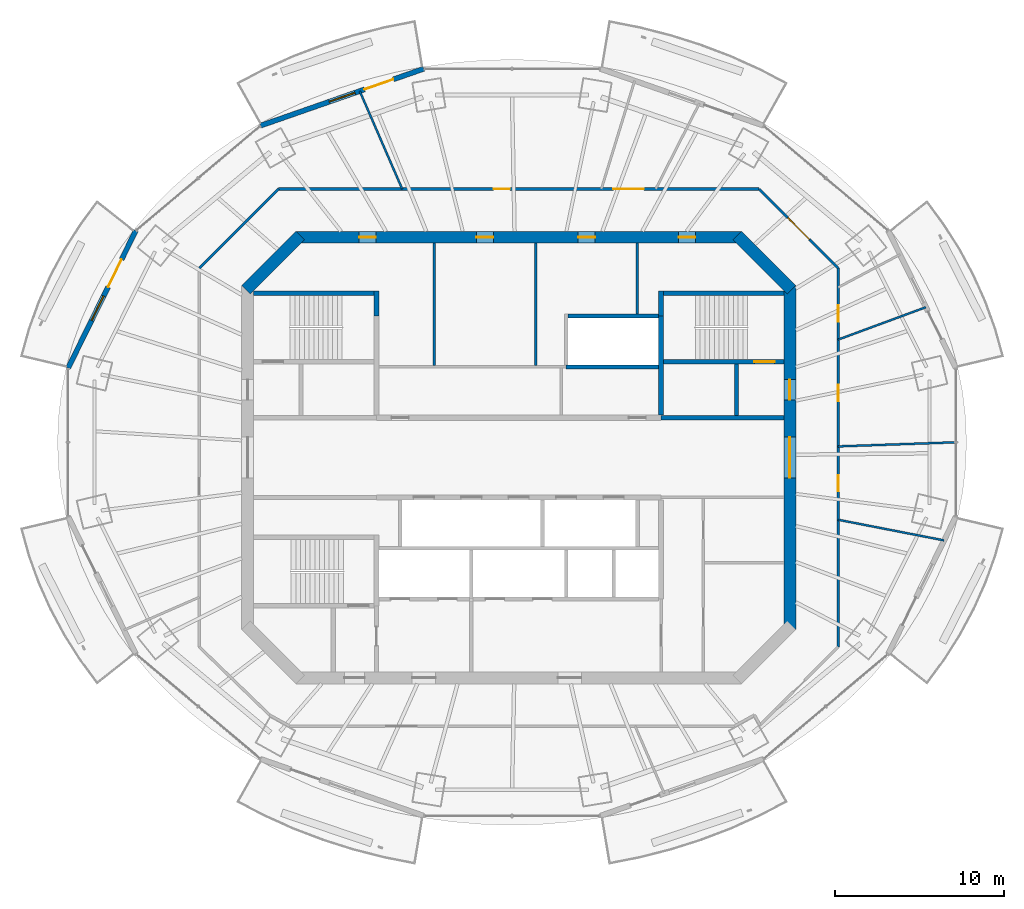
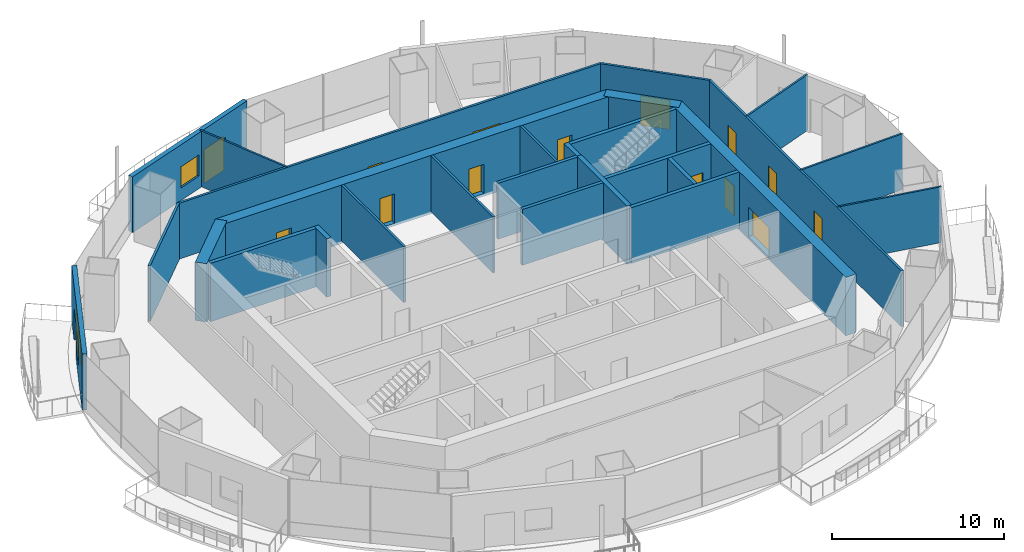
# One storey, part 10 of 16: 27 walls, 15 doors, 2 windows, 17 openings.
"""IFC4 building model written with IfcOpenShell, lengths in metres."""

from ifc_helpers import new_model, si_unit, direction, frame, frame_2d, origin, place, context, subcontext, project, spatial, rectangle, extrude, material, layer, layer_set, type_object, element, fill, save


model = new_model("IFC4")

# Units and contexts
model_context = context("Model", 3, precision=1e-05, world=origin(), true_north=direction((0.0, 1.0)))
body_context = subcontext(model_context, "Body", "Model", "MODEL_VIEW")
ifc_project = project(units=[si_unit("LENGTHUNIT", "METRE"), si_unit("AREAUNIT", "SQUARE_METRE"), si_unit("VOLUMEUNIT", "CUBIC_METRE"), si_unit("PLANEANGLEUNIT", "RADIAN"), si_unit("MASSUNIT", "GRAM", prefix="KILO")], contexts=[model_context])

# Site, building, storey
site_placement = place(None, origin())
site = spatial("IfcSite", under=ifc_project, at=site_placement, CompositionType="ELEMENT")
building_placement = place(site_placement, origin())
building = spatial("IfcBuilding", under=site, at=building_placement, Name="Marenthal Gate Tower", CompositionType="ELEMENT")
storey_placement = place(building_placement, frame((0.0, 0.0, 350.89990234375)))
storey = spatial("IfcBuildingStorey", under=building, at=storey_placement, Name="L79", CompositionType="ELEMENT", Elevation=350.89990234375)

# Wall, openings, doors
ifc_material_1 = material(Name="Concrete 60 MPa", Category="concrete")
ifc_layer_1 = layer(ifc_material_1, 0.699951171875)
ifc_layer_set_1 = layer_set([ifc_layer_1], Name="Core shear wall 700")
wall_type_1 = type_object("IfcWallType", Name="Core shear wall 700", PredefinedType="SHEAR", material=ifc_layer_set_1)
wall_1_placement = place(storey_placement, frame((16.0, -10.14501953125, -0.179931640625), z_axis=(0.0, 0.0, 1.0), x_axis=(0.0, 1.0, 0.0)))
wall_1 = element("IfcWall", 1, at=wall_1_placement, inside=storey, type_object=wall_type_1, Name="Core wall 02", PredefinedType="SHEAR", context=body_context, shape_type="SweptSolid", body=[
    extrude(rectangle(XDim=20.2900390625, YDim=0.699951171875, at=frame_2d((10.14501953125, 0.0))), origin(), (0.0, 0.0, 1.0), 4.150146484375),
])
opening_1_placement = place(wall_1_placement, frame((8.945068359375, 0.0, 0.179931640625)))
opening_1 = element("IfcOpeningElement", 2, at=opening_1_placement, cuts=wall_1, Name="Opening D003.02", PredefinedType="OPENING", context=body_context, shape_type="SweptSolid", body=[
    extrude(rectangle(XDim=2.39990234375, YDim=2.10009765625, at=frame_2d((1.199951171875, 1.050048828125))), frame((0.0, 0.35986328125, 0.0), z_axis=(0.0, -1.0, 0.0), x_axis=(1.0, 0.0, 0.0)), (0.0, 0.0, 1.0), 0.719970703125),
])
opening_2_placement = place(wall_1_placement, frame((13.544921875, 0.0, 0.179931640625)))
opening_2 = element("IfcOpeningElement", 3, at=opening_2_placement, cuts=wall_1, Name="Opening D001.05", PredefinedType="OPENING", context=body_context, shape_type="SweptSolid", body=[
    extrude(rectangle(XDim=1.199951171875, YDim=2.10009765625, at=frame_2d((0.60009765625, 1.050048828125))), frame((0.0, 0.35986328125, 0.0), z_axis=(0.0, -1.0, 0.0), x_axis=(1.0, 0.0, 0.0)), (0.0, 0.0, 1.0), 0.719970703125),
])
ifc_material_2 = material(Name="Steel fire door", Category="steel")
door_type_1 = type_object("IfcDoorType", Name="Double fire door FD 45 2400 x 2100", OperationType="DOUBLE_DOOR_SINGLE_SWING", PredefinedType="DOOR", material=ifc_material_2)
door_1_placement = place(opening_1_placement, origin())
door_1 = element("IfcDoor", 4, at=door_1_placement, inside=storey, type_object=door_type_1, Name="Door D003.02", OperationType="DOUBLE_DOOR_SINGLE_SWING", OverallHeight=2.10009765625, OverallWidth=2.39990234375, PredefinedType="DOOR", context=body_context, shape_type="SweptSolid", body=[
    extrude(rectangle(XDim=2.39990234375, YDim=2.10009765625, at=frame_2d((1.199951171875, 1.050048828125))), frame((0.0, 0.02490234375, 0.0), z_axis=(0.0, -1.0, 0.0), x_axis=(1.0, 0.0, 0.0)), (0.0, 0.0, 1.0), 0.050048828125),
])
fill(opening_1, door_1)
ifc_material_3 = material(Name="Steel fire door", Category="steel")
door_type_2 = type_object("IfcDoorType", Name="Fire door FD 90 1200 x 2100", OperationType="NOTDEFINED", PredefinedType="DOOR", material=ifc_material_3)
door_2_placement = place(opening_2_placement, origin())
door_2 = element("IfcDoor", 5, at=door_2_placement, inside=storey, type_object=door_type_2, Name="Door D001.05", OperationType="SINGLE_SWING_RIGHT", OverallHeight=2.10009765625, OverallWidth=1.199951171875, PredefinedType="DOOR", context=body_context, shape_type="SweptSolid", body=[
    extrude(rectangle(XDim=1.199951171875, YDim=2.10009765625, at=frame_2d((0.60009765625, 1.050048828125))), frame((0.0, 0.02490234375, 0.0), z_axis=(0.0, -1.0, 0.0), x_axis=(1.0, 0.0, 0.0)), (0.0, 0.0, 1.0), 0.050048828125),
])
fill(opening_2, door_2)

# Wall
wall_2_placement = place(storey_placement, frame((16.1025390625, 9.8974609375, -0.179931640625), z_axis=(0.0, 0.0, 1.0), x_axis=(-0.707106781187, 0.707106781187, 0.0)))
element("IfcWall", 6, at=wall_2_placement, inside=storey, type_object=wall_type_1, Name="Core wall 03", PredefinedType="SHEAR", context=body_context, shape_type="SweptSolid", body=[
    extrude(rectangle(XDim=4.53271484375, YDim=0.699951171875, at=frame_2d((2.266357421875, 0.0))), origin(), (0.0, 0.0, 1.0), 4.150146484375),
])

# Wall, openings, doors
wall_3_placement = place(storey_placement, frame((13.14501953125, 13.0, -0.179931640625), z_axis=(0.0, 0.0, 1.0), x_axis=(-1.0, 0.0, 0.0)))
wall_3 = element("IfcWall", 7, at=wall_3_placement, inside=storey, type_object=wall_type_1, Name="Core wall 04", PredefinedType="SHEAR", context=body_context, shape_type="SweptSolid", body=[
    extrude(rectangle(XDim=26.2900390625, YDim=0.699951171875, at=frame_2d((13.14501953125, 0.0))), origin(), (0.0, 0.0, 1.0), 4.150146484375),
])
opening_3_placement = place(wall_3_placement, frame((21.57275390625, 0.0, 0.179931640625)))
opening_3 = element("IfcOpeningElement", 8, at=opening_3_placement, cuts=wall_3, Name="Opening D005.03", PredefinedType="OPENING", context=body_context, shape_type="SweptSolid", body=[
    extrude(rectangle(XDim=1.0, YDim=2.10009765625, at=frame_2d((0.5, 1.050048828125))), frame((0.0, 0.35986328125, 0.0), z_axis=(0.0, -1.0, 0.0), x_axis=(1.0, 0.0, 0.0)), (0.0, 0.0, 1.0), 0.719970703125),
])
opening_4_placement = place(wall_3_placement, frame((14.64501953125, 0.0, 0.179931640625)))
opening_4 = element("IfcOpeningElement", 9, at=opening_4_placement, cuts=wall_3, Name="Opening D005.04", PredefinedType="OPENING", context=body_context, shape_type="SweptSolid", body=[
    extrude(rectangle(XDim=1.0, YDim=2.10009765625, at=frame_2d((0.5, 1.050048828125))), frame((0.0, 0.35986328125, 0.0), z_axis=(0.0, -1.0, 0.0), x_axis=(1.0, 0.0, 0.0)), (0.0, 0.0, 1.0), 0.719970703125),
])
opening_5_placement = place(wall_3_placement, frame((8.64501953125, 0.0, 0.179931640625)))
opening_5 = element("IfcOpeningElement", 10, at=opening_5_placement, cuts=wall_3, Name="Opening D005.05", PredefinedType="OPENING", context=body_context, shape_type="SweptSolid", body=[
    extrude(rectangle(XDim=1.0, YDim=2.10009765625, at=frame_2d((0.5, 1.050048828125))), frame((0.0, 0.35986328125, 0.0), z_axis=(0.0, -1.0, 0.0), x_axis=(1.0, 0.0, 0.0)), (0.0, 0.0, 1.0), 0.719970703125),
])
opening_6_placement = place(wall_3_placement, frame((2.71728515625, 0.0, 0.179931640625)))
opening_6 = element("IfcOpeningElement", 11, at=opening_6_placement, cuts=wall_3, Name="Opening D005.06", PredefinedType="OPENING", context=body_context, shape_type="SweptSolid", body=[
    extrude(rectangle(XDim=1.0, YDim=2.10009765625, at=frame_2d((0.5, 1.050048828125))), frame((0.0, 0.35986328125, 0.0), z_axis=(0.0, -1.0, 0.0), x_axis=(1.0, 0.0, 0.0)), (0.0, 0.0, 1.0), 0.719970703125),
])
ifc_material_4 = material(Name="Steel fire door", Category="steel")
door_type_3 = type_object("IfcDoorType", Name="Fire door FD 45 1000 x 2100", OperationType="NOTDEFINED", PredefinedType="DOOR", material=ifc_material_4)
door_3_placement = place(opening_3_placement, origin())
door_3 = element("IfcDoor", 12, at=door_3_placement, inside=storey, type_object=door_type_3, Name="Door D005.03", OperationType="SINGLE_SWING_RIGHT", OverallHeight=2.10009765625, OverallWidth=1.0, PredefinedType="DOOR", context=body_context, shape_type="SweptSolid", body=[
    extrude(rectangle(XDim=1.0, YDim=2.10009765625, at=frame_2d((0.5, 1.050048828125))), frame((0.0, 0.02490234375, 0.0), z_axis=(0.0, -1.0, 0.0), x_axis=(1.0, 0.0, 0.0)), (0.0, 0.0, 1.0), 0.050048828125),
])
fill(opening_3, door_3)
door_4_placement = place(opening_4_placement, origin())
door_4 = element("IfcDoor", 13, at=door_4_placement, inside=storey, type_object=door_type_3, Name="Door D005.04", OperationType="SINGLE_SWING_RIGHT", OverallHeight=2.10009765625, OverallWidth=1.0, PredefinedType="DOOR", context=body_context, shape_type="SweptSolid", body=[
    extrude(rectangle(XDim=1.0, YDim=2.10009765625, at=frame_2d((0.5, 1.050048828125))), frame((0.0, 0.02490234375, 0.0), z_axis=(0.0, -1.0, 0.0), x_axis=(1.0, 0.0, 0.0)), (0.0, 0.0, 1.0), 0.050048828125),
])
fill(opening_4, door_4)
door_5_placement = place(opening_5_placement, origin())
door_5 = element("IfcDoor", 14, at=door_5_placement, inside=storey, type_object=door_type_3, Name="Door D005.05", OperationType="SINGLE_SWING_RIGHT", OverallHeight=2.10009765625, OverallWidth=1.0, PredefinedType="DOOR", context=body_context, shape_type="SweptSolid", body=[
    extrude(rectangle(XDim=1.0, YDim=2.10009765625, at=frame_2d((0.5, 1.050048828125))), frame((0.0, 0.02490234375, 0.0), z_axis=(0.0, -1.0, 0.0), x_axis=(1.0, 0.0, 0.0)), (0.0, 0.0, 1.0), 0.050048828125),
])
fill(opening_5, door_5)
door_6_placement = place(opening_6_placement, origin())
door_6 = element("IfcDoor", 15, at=door_6_placement, inside=storey, type_object=door_type_3, Name="Door D005.06", OperationType="SINGLE_SWING_RIGHT", OverallHeight=2.10009765625, OverallWidth=1.0, PredefinedType="DOOR", context=body_context, shape_type="SweptSolid", body=[
    extrude(rectangle(XDim=1.0, YDim=2.10009765625, at=frame_2d((0.5, 1.050048828125))), frame((0.0, 0.02490234375, 0.0), z_axis=(0.0, -1.0, 0.0), x_axis=(1.0, 0.0, 0.0)), (0.0, 0.0, 1.0), 0.050048828125),
])
fill(opening_6, door_6)

# Walls
wall_4_placement = place(storey_placement, frame((-12.8974609375, 13.1025390625, -0.179931640625), z_axis=(0.0, 0.0, 1.0), x_axis=(-0.707106781187, -0.707106781187, 0.0)))
element("IfcWall", 16, at=wall_4_placement, inside=storey, type_object=wall_type_1, Name="Core wall 05", PredefinedType="SHEAR", context=body_context, shape_type="SweptSolid", body=[
    extrude(rectangle(XDim=4.53271484375, YDim=0.699951171875, at=frame_2d((2.266357421875, 0.0))), origin(), (0.0, 0.0, 1.0), 4.150146484375),
])
ifc_material_5 = material(Name="Concrete 50 MPa", Category="concrete")
ifc_layer_2 = layer(ifc_material_5, 0.300048828125)
ifc_layer_set_2 = layer_set([ifc_layer_2], Name="Hoistway shear wall 300")
wall_type_2 = type_object("IfcWallType", Name="Hoistway shear wall 300", PredefinedType="SHEAR", material=ifc_layer_set_2)
wall_5_placement = place(storey_placement, frame((8.39990234375, 2.5, -0.179931640625), z_axis=(0.0, 0.0, 1.0), x_axis=(0.0, 1.0, 0.0)))
element("IfcWall", 17, at=wall_5_placement, inside=storey, type_object=wall_type_2, Name="Hoistway wall 48", PredefinedType="SHEAR", context=body_context, shape_type="SweptSolid", body=[
    extrude(rectangle(XDim=5.85009765625, YDim=0.300048828125, at=frame_2d((2.925048828125, 0.0))), origin(), (0.0, 0.0, 1.0), 4.150146484375),
])
ifc_material_6 = material(Name="Concrete 40 MPa", Category="concrete")
ifc_layer_3 = layer(ifc_material_6, 0.219970703125)
ifc_layer_set_3 = layer_set([ifc_layer_3], Name="Hoistway wall 220")
wall_type_3 = type_object("IfcWallType", Name="Hoistway wall 220", PredefinedType="STANDARD", material=ifc_layer_set_3)
wall_6_placement = place(storey_placement, frame((2.800048828125, 5.35009765625, 0.0), z_axis=(0.0, 0.0, 1.0), x_axis=(1.0, 0.0, 0.0)))
element("IfcWall", 18, at=wall_6_placement, inside=storey, type_object=wall_type_3, Name="Hoistway wall 22", PredefinedType="STANDARD", context=body_context, shape_type="SweptSolid", body=[
    extrude(rectangle(XDim=5.449951171875, YDim=0.219970703125, at=frame_2d((2.72509765625, 0.0))), origin(), (0.0, 0.0, 1.0), 3.97021484375),
])
wall_7_placement = place(storey_placement, frame((2.909912109375, 8.35009765625, 0.0), z_axis=(0.0, 0.0, 1.0), x_axis=(1.0, 0.0, 0.0)))
element("IfcWall", 19, at=wall_7_placement, inside=storey, type_object=wall_type_3, Name="Hoistway wall 25", PredefinedType="STANDARD", context=body_context, shape_type="SweptSolid", body=[
    extrude(rectangle(XDim=5.340087890625, YDim=0.219970703125, at=frame_2d((2.669921875, 0.0))), origin(), (0.0, 0.0, 1.0), 3.97021484375),
])
ifc_material_7 = material(Name="Gypsum board on steel studs", Category="steel")
ifc_layer_4 = layer(ifc_material_7, 0.1201171875)
ifc_layer_set_4 = layer_set([ifc_layer_4], Name="Partition 120")
wall_type_4 = type_object("IfcWallType", Name="Partition 120", PredefinedType="PARTITIONING", material=ifc_layer_set_4)
wall_8_placement = place(storey_placement, frame((-6.879638671875, 15.85009765625, 0.0), z_axis=(0.0, 0.0, 1.0), x_axis=(-0.398181745678, 0.91730654495, 0.0)))
element("IfcWall", 20, at=wall_8_placement, inside=storey, type_object=wall_type_4, Name="Partition wall 58", PredefinedType="PARTITIONING", context=body_context, shape_type="SweptSolid", body=[
    extrude(rectangle(XDim=6.298095703125, YDim=0.1201171875, at=frame_2d((3.14892578125, 0.0))), origin(), (0.0, 0.0, 1.0), 3.97021484375),
])
wall_9_placement = place(storey_placement, frame((18.85009765625, -3.67138671875, 0.0), z_axis=(0.0, 0.0, 1.0), x_axis=(0.981557300208, -0.191168162643, 0.0)))
element("IfcWall", 21, at=wall_9_placement, inside=storey, type_object=wall_type_4, Name="Partition wall 67", PredefinedType="PARTITIONING", context=body_context, shape_type="SweptSolid", body=[
    extrude(rectangle(XDim=6.3701171875, YDim=0.1201171875, at=frame_2d((3.18505859375, 0.0))), origin(), (0.0, 0.0, 1.0), 3.97021484375),
])
wall_10_placement = place(storey_placement, frame((18.85009765625, 0.65771484375, 0.0), z_axis=(0.0, 0.0, 1.0), x_axis=(0.999392274324, 0.034858026656, 0.0)))
element("IfcWall", 22, at=wall_10_placement, inside=storey, type_object=wall_type_4, Name="Partition wall 68", PredefinedType="PARTITIONING", context=body_context, shape_type="SweptSolid", body=[
    extrude(rectangle(XDim=6.94775390625, YDim=0.1201171875, at=frame_2d((3.473876953125, 0.0))), origin(), (0.0, 0.0, 1.0), 3.97021484375),
])
wall_11_placement = place(storey_placement, frame((18.85009765625, 6.961669921875, 0.0), z_axis=(0.0, 0.0, 1.0), x_axis=(0.93806639646, 0.346455532259, 0.0)))
element("IfcWall", 23, at=wall_11_placement, inside=storey, type_object=wall_type_4, Name="Partition wall 69", PredefinedType="PARTITIONING", context=body_context, shape_type="SweptSolid", body=[
    extrude(rectangle(XDim=5.51904296875, YDim=0.1201171875, at=frame_2d((2.759521484375, 0.0))), origin(), (0.0, 0.0, 1.0), 3.97021484375),
])
ifc_material_8 = material(Name="Gypsum board on steel studs", Category="steel")
ifc_layer_5 = layer(ifc_material_8, 0.14990234375)
ifc_layer_set_5 = layer_set([ifc_layer_5], Name="Partition 150")
wall_type_5 = type_object("IfcWallType", Name="Partition 150", PredefinedType="PARTITIONING", material=ifc_layer_set_5)
for number, where, z_axis, x_axis, name in (
    (24, (-5.0, 5.425048828125, 0.0), (0.0, 0.0, 1.0), (0.0, 1.0, 0.0), "Partition wall 35"),
    (25, (1.0, 5.425048828125, 0.0), (0.0, 0.0, 1.0), (0.0, 1.0, 0.0), "Partition wall 38"),
):
    element("IfcWall", number, at=place(storey_placement, frame(where, z_axis=z_axis, x_axis=x_axis)), inside=storey, type_object=wall_type_5, Name=name, PredefinedType="PARTITIONING", context=body_context, shape_type="SweptSolid", body=[
        extrude(rectangle(XDim=7.224853515625, YDim=0.14990234375, at=frame_2d((3.6123046875, 0.0))), origin(), (0.0, 0.0, 1.0), 3.97021484375),
    ])
wall_12_placement = place(storey_placement, frame((7.0, 8.4599609375, 0.0), z_axis=(0.0, 0.0, 1.0), x_axis=(0.0, 1.0, 0.0)))
element("IfcWall", 26, at=wall_12_placement, inside=storey, type_object=wall_type_5, Name="Partition wall 45", PredefinedType="PARTITIONING", context=body_context, shape_type="SweptSolid", body=[
    extrude(rectangle(XDim=4.18994140625, YDim=0.14990234375, at=frame_2d((2.094970703125, 0.0))), origin(), (0.0, 0.0, 1.0), 3.97021484375),
])
wall_13_placement = place(storey_placement, frame((-18.85009765625, 11.180419921875, 0.0), z_axis=(0.0, 0.0, 1.0), x_axis=(0.707106781187, 0.707106781187, 0.0)))
element("IfcWall", 27, at=wall_13_placement, inside=storey, type_object=wall_type_5, Name="Partition wall 54", PredefinedType="PARTITIONING", context=body_context, shape_type="SweptSolid", body=[
    extrude(rectangle(XDim=6.60400390625, YDim=0.14990234375, at=frame_2d((3.302001953125, 0.0))), origin(), (0.0, 0.0, 1.0), 3.97021484375),
])

# Wall, openings, doors
wall_14_placement = place(storey_placement, frame((-14.180419921875, 15.85009765625, 0.0), z_axis=(0.0, 0.0, 1.0), x_axis=(1.0, 0.0, 0.0)))
wall_14 = element("IfcWall", 28, at=wall_14_placement, inside=storey, type_object=wall_type_5, Name="Partition wall 56", PredefinedType="PARTITIONING", context=body_context, shape_type="SweptSolid", body=[
    extrude(rectangle(XDim=28.36083984375, YDim=0.14990234375, at=frame_2d((14.180419921875, 0.0))), origin(), (0.0, 0.0, 1.0), 3.97021484375),
])
opening_7_placement = place(wall_14_placement, frame((19.759033203125, 0.0, 0.0)))
opening_7 = element("IfcOpeningElement", 29, at=opening_7_placement, cuts=wall_14, Name="Opening D014.02", PredefinedType="OPENING", context=body_context, shape_type="SweptSolid", body=[
    extrude(rectangle(XDim=1.800048828125, YDim=2.10009765625, at=frame_2d((0.89990234375, 1.050048828125))), frame((0.0, 0.0849609375, 0.0), z_axis=(0.0, -1.0, 0.0), x_axis=(1.0, 0.0, 0.0)), (0.0, 0.0, 1.0), 0.169921875),
])
opening_8_placement = place(wall_14_placement, frame((12.702880859375, 0.0, 0.0)))
opening_8 = element("IfcOpeningElement", 30, at=opening_8_placement, cuts=wall_14, Name="Opening D016.03", PredefinedType="OPENING", context=body_context, shape_type="SweptSolid", body=[
    extrude(rectangle(XDim=0.949951171875, YDim=2.10009765625, at=frame_2d((0.47509765625, 1.050048828125))), frame((0.0, 0.0849609375, 0.0), z_axis=(0.0, -1.0, 0.0), x_axis=(1.0, 0.0, 0.0)), (0.0, 0.0, 1.0), 0.169921875),
])
ifc_material_9 = material(Name="Timber door", Category="wood")
door_type_4 = type_object("IfcDoorType", Name="Door 950 x 2100", OperationType="NOTDEFINED", PredefinedType="DOOR", material=ifc_material_9)
door_7_placement = place(opening_8_placement, origin())
door_7 = element("IfcDoor", 31, at=door_7_placement, inside=storey, type_object=door_type_4, Name="Door D016.03", OperationType="SINGLE_SWING_RIGHT", OverallHeight=2.10009765625, OverallWidth=0.949951171875, PredefinedType="DOOR", context=body_context, shape_type="SweptSolid", body=[
    extrude(rectangle(XDim=0.949951171875, YDim=2.10009765625, at=frame_2d((0.47509765625, 1.050048828125))), frame((0.0, 0.02490234375, 0.0), z_axis=(0.0, -1.0, 0.0), x_axis=(1.0, 0.0, 0.0)), (0.0, 0.0, 1.0), 0.050048828125),
])
fill(opening_8, door_7)
ifc_material_10 = material(Name="Timber door", Category="wood")
door_type_5 = type_object("IfcDoorType", Name="Double door 1800 x 2100", OperationType="DOUBLE_DOOR_SINGLE_SWING", PredefinedType="DOOR", material=ifc_material_10)
door_8_placement = place(opening_7_placement, origin())
door_8 = element("IfcDoor", 32, at=door_8_placement, inside=storey, type_object=door_type_5, Name="Door D014.02", OperationType="DOUBLE_DOOR_SINGLE_SWING", OverallHeight=2.10009765625, OverallWidth=1.800048828125, PredefinedType="DOOR", context=body_context, shape_type="SweptSolid", body=[
    extrude(rectangle(XDim=1.800048828125, YDim=2.10009765625, at=frame_2d((0.89990234375, 1.050048828125))), frame((0.0, 0.02490234375, 0.0), z_axis=(0.0, -1.0, 0.0), x_axis=(1.0, 0.0, 0.0)), (0.0, 0.0, 1.0), 0.050048828125),
])
fill(opening_7, door_8)

# Wall, opening, door
wall_15_placement = place(storey_placement, frame((14.180419921875, 15.85009765625, 0.0), z_axis=(0.0, 0.0, 1.0), x_axis=(0.707106781187, -0.707106781187, 0.0)))
wall_15 = element("IfcWall", 33, at=wall_15_placement, inside=storey, type_object=wall_type_5, Name="Partition wall 64", PredefinedType="PARTITIONING", context=body_context, shape_type="SweptSolid", body=[
    extrude(rectangle(XDim=6.60400390625, YDim=0.14990234375, at=frame_2d((3.302001953125, 0.0))), origin(), (0.0, 0.0, 1.0), 3.97021484375),
])
opening_9_placement = place(wall_15_placement, frame((2.402099609375, 0.0, 0.0)))
opening_9 = element("IfcOpeningElement", 34, at=opening_9_placement, cuts=wall_15, Name="Opening D014.01", PredefinedType="OPENING", context=body_context, shape_type="SweptSolid", body=[
    extrude(rectangle(XDim=1.800048828125, YDim=2.10009765625, at=frame_2d((0.89990234375, 1.050048828125))), frame((0.0, 0.0849609375, 0.0), z_axis=(0.0, -1.0, 0.0), x_axis=(1.0, 0.0, 0.0)), (0.0, 0.0, 1.0), 0.169921875),
])
door_9_placement = place(opening_9_placement, origin())
door_9 = element("IfcDoor", 35, at=door_9_placement, inside=storey, type_object=door_type_5, Name="Door D014.01", OperationType="DOUBLE_DOOR_SINGLE_SWING", OverallHeight=2.10009765625, OverallWidth=1.800048828125, PredefinedType="DOOR", context=body_context, shape_type="SweptSolid", body=[
    extrude(rectangle(XDim=1.800048828125, YDim=2.10009765625, at=frame_2d((0.89990234375, 1.050048828125))), frame((0.0, 0.02490234375, 0.0), z_axis=(0.0, -1.0, 0.0), x_axis=(1.0, 0.0, 0.0)), (0.0, 0.0, 1.0), 0.050048828125),
])
fill(opening_9, door_9)

# Wall, openings, doors
wall_16_placement = place(storey_placement, frame((18.85009765625, 11.180419921875, 0.0), z_axis=(0.0, 0.0, 1.0), x_axis=(0.0, -1.0, 0.0)))
wall_16 = element("IfcWall", 36, at=wall_16_placement, inside=storey, type_object=wall_type_5, Name="Partition wall 71", PredefinedType="PARTITIONING", context=body_context, shape_type="SweptSolid", body=[
    extrude(rectangle(XDim=22.36083984375, YDim=0.14990234375, at=frame_2d((11.180419921875, 0.0))), origin(), (0.0, 0.0, 1.0), 3.97021484375),
])
opening_10_placement = place(wall_16_placement, frame((6.89599609375, 0.0, 0.0)))
opening_10 = element("IfcOpeningElement", 37, at=opening_10_placement, cuts=wall_16, Name="Opening D016.01", PredefinedType="OPENING", context=body_context, shape_type="SweptSolid", body=[
    extrude(rectangle(XDim=0.949951171875, YDim=2.10009765625, at=frame_2d((0.47509765625, 1.050048828125))), frame((0.0, 0.0849609375, 0.0), z_axis=(0.0, -1.0, 0.0), x_axis=(1.0, 0.0, 0.0)), (0.0, 0.0, 1.0), 0.169921875),
])
opening_11_placement = place(wall_16_placement, frame((2.205078125, 0.0, 0.0)))
opening_11 = element("IfcOpeningElement", 38, at=opening_11_placement, cuts=wall_16, Name="Opening D016.02", PredefinedType="OPENING", context=body_context, shape_type="SweptSolid", body=[
    extrude(rectangle(XDim=0.949951171875, YDim=2.10009765625, at=frame_2d((0.47509765625, 1.050048828125))), frame((0.0, 0.0849609375, 0.0), z_axis=(0.0, -1.0, 0.0), x_axis=(1.0, 0.0, 0.0)), (0.0, 0.0, 1.0), 0.169921875),
])
opening_12_placement = place(wall_16_placement, frame((12.2119140625, 0.0, 0.0)))
opening_12 = element("IfcOpeningElement", 39, at=opening_12_placement, cuts=wall_16, Name="Opening D016.06", PredefinedType="OPENING", context=body_context, shape_type="SweptSolid", body=[
    extrude(rectangle(XDim=0.949951171875, YDim=2.10009765625, at=frame_2d((0.47509765625, 1.050048828125))), frame((0.0, 0.0849609375, 0.0), z_axis=(0.0, -1.0, 0.0), x_axis=(1.0, 0.0, 0.0)), (0.0, 0.0, 1.0), 0.169921875),
])
door_10_placement = place(opening_10_placement, origin())
door_10 = element("IfcDoor", 40, at=door_10_placement, inside=storey, type_object=door_type_4, Name="Door D016.01", OperationType="SINGLE_SWING_RIGHT", OverallHeight=2.10009765625, OverallWidth=0.949951171875, PredefinedType="DOOR", context=body_context, shape_type="SweptSolid", body=[
    extrude(rectangle(XDim=0.949951171875, YDim=2.10009765625, at=frame_2d((0.47509765625, 1.050048828125))), frame((0.0, 0.02490234375, 0.0), z_axis=(0.0, -1.0, 0.0), x_axis=(1.0, 0.0, 0.0)), (0.0, 0.0, 1.0), 0.050048828125),
])
fill(opening_10, door_10)
door_11_placement = place(opening_11_placement, origin())
door_11 = element("IfcDoor", 41, at=door_11_placement, inside=storey, type_object=door_type_4, Name="Door D016.02", OperationType="SINGLE_SWING_RIGHT", OverallHeight=2.10009765625, OverallWidth=0.949951171875, PredefinedType="DOOR", context=body_context, shape_type="SweptSolid", body=[
    extrude(rectangle(XDim=0.949951171875, YDim=2.10009765625, at=frame_2d((0.47509765625, 1.050048828125))), frame((0.0, 0.02490234375, 0.0), z_axis=(0.0, -1.0, 0.0), x_axis=(1.0, 0.0, 0.0)), (0.0, 0.0, 1.0), 0.050048828125),
])
fill(opening_11, door_11)
door_12_placement = place(opening_12_placement, origin())
door_12 = element("IfcDoor", 42, at=door_12_placement, inside=storey, type_object=door_type_4, Name="Door D016.06", OperationType="SINGLE_SWING_RIGHT", OverallHeight=2.10009765625, OverallWidth=0.949951171875, PredefinedType="DOOR", context=body_context, shape_type="SweptSolid", body=[
    extrude(rectangle(XDim=0.949951171875, YDim=2.10009765625, at=frame_2d((0.47509765625, 1.050048828125))), frame((0.0, 0.02490234375, 0.0), z_axis=(0.0, -1.0, 0.0), x_axis=(1.0, 0.0, 0.0)), (0.0, 0.0, 1.0), 0.050048828125),
])
fill(opening_12, door_12)

# Walls
ifc_material_11 = material(Name="Concrete 40 MPa", Category="concrete")
ifc_layer_6 = layer(ifc_material_11, 0.25)
ifc_layer_set_6 = layer_set([ifc_layer_6], Name="Stair enclosure wall 250")
wall_type_6 = type_object("IfcWallType", Name="Stair enclosure wall 250", PredefinedType="STANDARD", material=ifc_layer_set_6)
wall_17_placement = place(storey_placement, frame((8.39990234375, 2.35009765625, 0.0), z_axis=(0.0, 0.0, 1.0), x_axis=(1.0, 0.0, 0.0)))
element("IfcWall", 43, at=wall_17_placement, inside=storey, type_object=wall_type_6, Name="Stair wall 20", PredefinedType="STANDARD", context=body_context, shape_type="SweptSolid", body=[
    extrude(rectangle(XDim=7.25, YDim=0.25, at=frame_2d((3.625, 0.0))), origin(), (0.0, 0.0, 1.0), 3.97021484375),
])
wall_18_placement = place(storey_placement, frame((12.85009765625, 2.47509765625, 0.0), z_axis=(0.0, 0.0, 1.0), x_axis=(0.0, 1.0, 0.0)))
element("IfcWall", 44, at=wall_18_placement, inside=storey, type_object=wall_type_6, Name="Stair wall 51", PredefinedType="STANDARD", context=body_context, shape_type="SweptSolid", body=[
    extrude(rectangle(XDim=3.0498046875, YDim=0.25, at=frame_2d((1.52490234375, 0.0))), origin(), (0.0, 0.0, 1.0), 3.97021484375),
])

# Wall, opening, door
ifc_material_12 = material(Name="Concrete 50 MPa", Category="concrete")
ifc_layer_7 = layer(ifc_material_12, 0.25)
ifc_layer_set_7 = layer_set([ifc_layer_7], Name="Stair shear wall 250")
wall_type_7 = type_object("IfcWallType", Name="Stair shear wall 250", PredefinedType="SHEAR", material=ifc_layer_set_7)
wall_19_placement = place(storey_placement, frame((8.550048828125, 5.64990234375, -0.179931640625), z_axis=(0.0, 0.0, 1.0), x_axis=(1.0, 0.0, 0.0)))
wall_19 = element("IfcWall", 45, at=wall_19_placement, inside=storey, type_object=wall_type_7, Name="Stair wall 24", PredefinedType="SHEAR", context=body_context, shape_type="SweptSolid", body=[
    extrude(rectangle(XDim=7.099853515625, YDim=0.25, at=frame_2d((3.5498046875, 0.0))), origin(), (0.0, 0.0, 1.0), 4.150146484375),
])
opening_13_placement = place(wall_19_placement, frame((5.35009765625, 0.0, 0.179931640625)))
opening_13 = element("IfcOpeningElement", 46, at=opening_13_placement, cuts=wall_19, Name="Opening D001.02", PredefinedType="OPENING", context=body_context, shape_type="SweptSolid", body=[
    extrude(rectangle(XDim=1.199951171875, YDim=2.10009765625, at=frame_2d((0.60009765625, 1.050048828125))), frame((0.0, 0.135009765625, 0.0), z_axis=(0.0, -1.0, 0.0), x_axis=(1.0, 0.0, 0.0)), (0.0, 0.0, 1.0), 0.27001953125),
])
door_13_placement = place(opening_13_placement, origin())
door_13 = element("IfcDoor", 47, at=door_13_placement, inside=storey, type_object=door_type_2, Name="Door D001.02", OperationType="SINGLE_SWING_RIGHT", OverallHeight=2.10009765625, OverallWidth=1.199951171875, PredefinedType="DOOR", context=body_context, shape_type="SweptSolid", body=[
    extrude(rectangle(XDim=1.199951171875, YDim=2.10009765625, at=frame_2d((0.60009765625, 1.050048828125))), frame((0.0, 0.02490234375, 0.0), z_axis=(0.0, -1.0, 0.0), x_axis=(1.0, 0.0, 0.0)), (0.0, 0.0, 1.0), 0.050048828125),
])
fill(opening_13, door_13)

# Walls
for number, where, z_axis, x_axis, name in (
    (48, (-15.64990234375, 9.699951171875, -0.179931640625), (0.0, 0.0, 1.0), (1.0, 0.0, 0.0), "Stair wall 26"),
    (49, (8.550048828125, 9.699951171875, -0.179931640625), (0.0, 0.0, 1.0), (1.0, 0.0, 0.0), "Stair wall 27"),
):
    element("IfcWall", number, at=place(storey_placement, frame(where, z_axis=z_axis, x_axis=x_axis)), inside=storey, type_object=wall_type_7, Name=name, PredefinedType="SHEAR", context=body_context, shape_type="SweptSolid", body=[
        extrude(rectangle(XDim=7.099853515625, YDim=0.25, at=frame_2d((3.5498046875, 0.0))), origin(), (0.0, 0.0, 1.0), 4.150146484375),
    ])
ifc_material_13 = material(Name="Concrete 50 MPa", Category="concrete")
ifc_layer_8 = layer(ifc_material_13, 0.300048828125)
ifc_layer_set_8 = layer_set([ifc_layer_8], Name="Stair shear wall 300")
wall_type_8 = type_object("IfcWallType", Name="Stair shear wall 300", PredefinedType="SHEAR", material=ifc_layer_set_8)
for number, where, z_axis, x_axis, name in (
    (50, (-8.39990234375, 8.35009765625, -0.179931640625), (0.0, 0.0, 1.0), (0.0, 1.0, 0.0), "Stair wall 33"),
    (51, (8.39990234375, 8.35009765625, -0.179931640625), (0.0, 0.0, 1.0), (0.0, 1.0, 0.0), "Stair wall 49"),
):
    element("IfcWall", number, at=place(storey_placement, frame(where, z_axis=z_axis, x_axis=x_axis)), inside=storey, type_object=wall_type_8, Name=name, PredefinedType="SHEAR", context=body_context, shape_type="SweptSolid", body=[
        extrude(rectangle(XDim=1.474853515625, YDim=0.300048828125, at=frame_2d((0.7373046875, 0.0))), origin(), (0.0, 0.0, 1.0), 4.150146484375),
    ])

# Wall, openings, door, window
ifc_material_14 = material(Name="Terracotta cladding on insulated concrete-block backing", Category="masonry")
ifc_layer_9 = layer(ifc_material_14, 0.300048828125)
ifc_layer_set_9 = layer_set([ifc_layer_9], Name="Terracotta facade wall 300")
wall_type_9 = type_object("IfcWallType", Name="Terracotta facade wall 300", PredefinedType="SOLIDWALL", material=ifc_layer_set_9)
wall_20_placement = place(storey_placement, frame((-5.6103515625, 22.944091796875, 0.0), z_axis=(0.0, 0.0, 1.0), x_axis=(-0.944272378507, -0.329165118428, 0.0)))
wall_20 = element("IfcWall", 52, at=wall_20_placement, inside=storey, type_object=wall_type_9, Name="Terracotta facade wall L79 bay 5", PredefinedType="SOLIDWALL", context=body_context, shape_type="SweptSolid", body=[
    extrude(rectangle(XDim=10.1953125, YDim=0.300048828125, at=frame_2d((5.09765625, 0.0))), origin(), (0.0, 0.0, 1.0), 3.97021484375),
])
opening_14_placement = place(wall_20_placement, frame((1.89990234375, 0.0, 0.0)))
opening_14 = element("IfcOpeningElement", 53, at=opening_14_placement, cuts=wall_20, Name="Opening BD-L79-05", PredefinedType="OPENING", context=body_context, shape_type="SweptSolid", body=[
    extrude(rectangle(XDim=1.800048828125, YDim=2.39990234375, at=frame_2d((0.89990234375, 1.199951171875))), frame((0.0, 0.16015625, 0.0), z_axis=(0.0, -1.0, 0.0), x_axis=(1.0, 0.0, 0.0)), (0.0, 0.0, 1.0), 0.320068359375),
])
opening_15_placement = place(wall_20_placement, frame((4.300048828125, 0.0, 0.89990234375)))
opening_15 = element("IfcOpeningElement", 54, at=opening_15_placement, cuts=wall_20, Name="Opening WN3-L79-05", PredefinedType="OPENING", context=body_context, shape_type="SweptSolid", body=[
    extrude(rectangle(XDim=1.60009765625, YDim=1.5, at=frame_2d((0.800048828125, 0.75))), frame((0.0, 0.16015625, 0.0), z_axis=(0.0, -1.0, 0.0), x_axis=(1.0, 0.0, 0.0)), (0.0, 0.0, 1.0), 0.320068359375),
])
ifc_material_15 = material(Name="Aluminium and glass", Category="aluminium")
door_type_6 = type_object("IfcDoorType", Name="Balcony door 1800x2400", OperationType="DOUBLE_DOOR_SINGLE_SWING", PredefinedType="DOOR", material=ifc_material_15)
door_14_placement = place(opening_14_placement, origin())
door_14 = element("IfcDoor", 55, at=door_14_placement, inside=storey, type_object=door_type_6, Name="Balcony door L79 bay 5", OperationType="SINGLE_SWING_LEFT", OverallHeight=2.39990234375, OverallWidth=1.800048828125, PredefinedType="DOOR", context=body_context, shape_type="SweptSolid", body=[
    extrude(rectangle(XDim=1.800048828125, YDim=2.39990234375, at=frame_2d((0.89990234375, 1.199951171875))), frame((0.0, 0.02490234375, 0.0), z_axis=(0.0, -1.0, 0.0), x_axis=(1.0, 0.0, 0.0)), (0.0, 0.0, 1.0), 0.050048828125),
])
fill(opening_14, door_14)
ifc_material_16 = material(Name="Aluminium and glass", Category="aluminium")
window_type = type_object("IfcWindowType", Name="Window 1600x1500", PartitioningType="DOUBLE_PANEL_VERTICAL", PredefinedType="WINDOW", material=ifc_material_16)
window_1_placement = place(opening_15_placement, origin())
window_1 = element("IfcWindow", 56, at=window_1_placement, inside=storey, type_object=window_type, Name="Window L79 bay 5", OverallHeight=1.5, OverallWidth=1.60009765625, PartitioningType="SINGLE_PANEL", PredefinedType="WINDOW", context=body_context, shape_type="SweptSolid", body=[
    extrude(rectangle(XDim=1.60009765625, YDim=1.5, at=frame_2d((0.800048828125, 0.75))), frame((0.0, 0.030029296875, 0.0), z_axis=(0.0, -1.0, 0.0), x_axis=(1.0, 0.0, 0.0)), (0.0, 0.0, 1.0), 0.06005859375),
])
fill(opening_15, window_1)

wall_21_placement = place(storey_placement, frame((-22.606201171875, 13.386962890625, 0.0), z_axis=(0.0, 0.0, 1.0), x_axis=(-0.441581239579, -0.897221270842, 0.0)))
wall_21 = element("IfcWall", 57, at=wall_21_placement, inside=storey, type_object=wall_type_9, Name="Terracotta facade wall L79 bay 7", PredefinedType="SOLIDWALL", context=body_context, shape_type="SweptSolid", body=[
    extrude(rectangle(XDim=9.0302734375, YDim=0.300048828125, at=frame_2d((4.51513671875, 0.0))), origin(), (0.0, 0.0, 1.0), 3.97021484375),
])
opening_16_placement = place(wall_21_placement, frame((1.89990234375, 0.0, 0.0)))
opening_16 = element("IfcOpeningElement", 58, at=opening_16_placement, cuts=wall_21, Name="Opening BD-L79-07", PredefinedType="OPENING", context=body_context, shape_type="SweptSolid", body=[
    extrude(rectangle(XDim=1.800048828125, YDim=2.39990234375, at=frame_2d((0.89990234375, 1.199951171875))), frame((0.0, 0.16015625, 0.0), z_axis=(0.0, -1.0, 0.0), x_axis=(1.0, 0.0, 0.0)), (0.0, 0.0, 1.0), 0.320068359375),
])
opening_17_placement = place(wall_21_placement, frame((4.300048828125, 0.0, 0.89990234375)))
opening_17 = element("IfcOpeningElement", 59, at=opening_17_placement, cuts=wall_21, Name="Opening WN3-L79-07", PredefinedType="OPENING", context=body_context, shape_type="SweptSolid", body=[
    extrude(rectangle(XDim=1.60009765625, YDim=1.5, at=frame_2d((0.800048828125, 0.75))), frame((0.0, 0.16015625, 0.0), z_axis=(0.0, -1.0, 0.0), x_axis=(1.0, 0.0, 0.0)), (0.0, 0.0, 1.0), 0.320068359375),
])
door_15_placement = place(opening_16_placement, origin())
door_15 = element("IfcDoor", 60, at=door_15_placement, inside=storey, type_object=door_type_6, Name="Balcony door L79 bay 7", OperationType="SINGLE_SWING_LEFT", OverallHeight=2.39990234375, OverallWidth=1.800048828125, PredefinedType="DOOR", context=body_context, shape_type="SweptSolid", body=[
    extrude(rectangle(XDim=1.800048828125, YDim=2.39990234375, at=frame_2d((0.89990234375, 1.199951171875))), frame((0.0, 0.02490234375, 0.0), z_axis=(0.0, -1.0, 0.0), x_axis=(1.0, 0.0, 0.0)), (0.0, 0.0, 1.0), 0.050048828125),
])
fill(opening_16, door_15)
window_2_placement = place(opening_17_placement, origin())
window_2 = element("IfcWindow", 61, at=window_2_placement, inside=storey, type_object=window_type, Name="Window L79 bay 7", OverallHeight=1.5, OverallWidth=1.60009765625, PartitioningType="SINGLE_PANEL", PredefinedType="WINDOW", context=body_context, shape_type="SweptSolid", body=[
    extrude(rectangle(XDim=1.60009765625, YDim=1.5, at=frame_2d((0.800048828125, 0.75))), frame((0.0, 0.030029296875, 0.0), z_axis=(0.0, -1.0, 0.0), x_axis=(1.0, 0.0, 0.0)), (0.0, 0.0, 1.0), 0.06005859375),
])
fill(opening_17, window_2)

save(model, "model.ifc")
